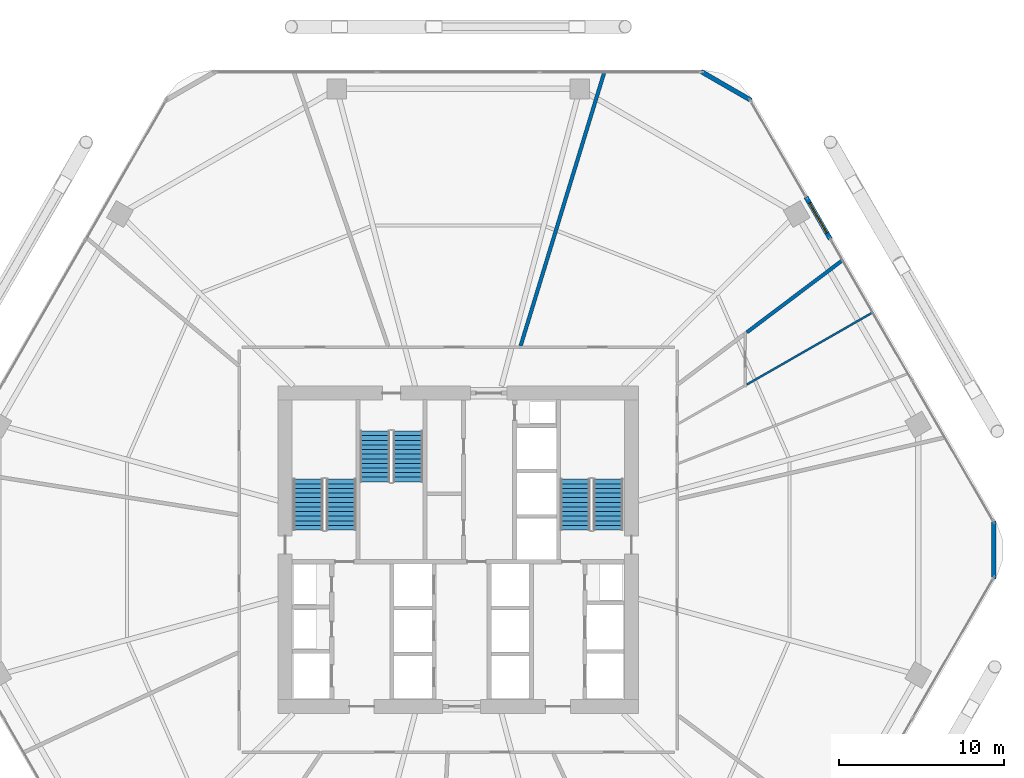
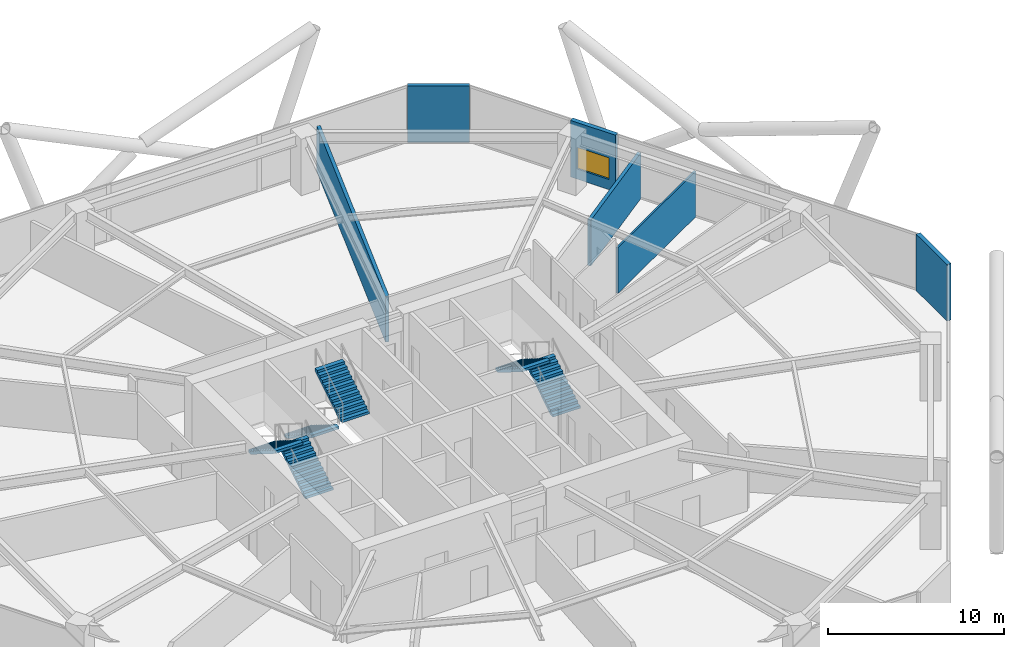
# One storey, part 27 of 28: 6 stair flights, 6 walls, 1 window, 1 opening, 3 elements without a shape of their own.
"""IFC4 building model written with IfcOpenShell, lengths in metres."""

from ifc_helpers import new_model, si_unit, direction, frame, frame_2d, origin, place, context, subcontext, project, spatial, polyline, rectangle, outline, extrude, material, layer, layer_set, type_object, element, fill, aggregate, save


model = new_model("IFC4")

# Units and contexts
model_context = context("Model", 3, precision=1e-05, world=origin(), true_north=direction((0.0, 1.0)))
body_context = subcontext(model_context, "Body", "Model", "MODEL_VIEW")
ifc_project = project(units=[si_unit("LENGTHUNIT", "METRE"), si_unit("AREAUNIT", "SQUARE_METRE"), si_unit("VOLUMEUNIT", "CUBIC_METRE"), si_unit("PLANEANGLEUNIT", "RADIAN"), si_unit("MASSUNIT", "GRAM", prefix="KILO")], contexts=[model_context])

# Site, building, storey
site_placement = place(None, origin())
site = spatial("IfcSite", under=ifc_project, at=site_placement, CompositionType="ELEMENT")
building_placement = place(site_placement, origin())
building = spatial("IfcBuilding", under=site, at=building_placement, Name="Zuhravey Tower", CompositionType="ELEMENT")
storey_placement = place(building_placement, frame((0.0, 0.0, 49.800048828125)))
storey = spatial("IfcBuildingStorey", under=building, at=storey_placement, Name="L12", CompositionType="ELEMENT", Elevation=49.800048828125)

# Wall
ifc_material_1 = material(Name="Precast concrete C40/50", Category="concrete")
ifc_layer_1 = layer(ifc_material_1, 0.280029296875)
ifc_layer_set_1 = layer_set([ifc_layer_1], Name="Precast concrete C40/50")
wall_type_1 = type_object("IfcWallType", Name="Crown Architectural Wall 280", PredefinedType="SOLIDWALL", material=ifc_layer_set_1)
wall_1_placement = place(storey_placement, frame((50.71728515625, 61.006103515625, 0.0), z_axis=(0.0, 0.0, 1.0), x_axis=(0.866007452331, -0.500031091541, 0.0)))
element("IfcWall", 1, at=wall_1_placement, inside=storey, type_object=wall_type_1, Name="L12 Rounded Corner Closure Wall EW28-10", PredefinedType="SOLIDWALL", context=body_context, shape_type="SweptSolid", body=[
    extrude(rectangle(XDim=3.514892578125, YDim=0.280029296875, at=frame_2d((1.75732421875, 0.0))), origin(), (0.0, 0.0, 1.0), 3.919921875),
])

# Wall, opening, window
wall_2_placement = place(storey_placement, frame((57.087890625, 53.3916015625, 0.0), z_axis=(0.0, 0.0, 1.0), x_axis=(0.500024377727, -0.866011328839, 0.0)))
wall_2 = element("IfcWall", 2, at=wall_2_placement, inside=storey, type_object=wall_type_1, Name="L12 Face 1 Facade Pier EW28-1", PredefinedType="SOLIDWALL", context=body_context, shape_type="SweptSolid", body=[
    extrude(rectangle(XDim=2.939697265625, YDim=0.280029296875, at=frame_2d((1.4697265625, 0.0))), origin(), (0.0, 0.0, 1.0), 3.919921875),
])
opening_placement = place(wall_2_placement, frame((0.419921875, 0.0, 0.699951171875)))
opening = element("IfcOpeningElement", 3, at=opening_placement, cuts=wall_2, Name="Opening WN3", PredefinedType="OPENING", context=body_context, shape_type="SweptSolid", body=[
    extrude(rectangle(XDim=2.10009765625, YDim=1.5, at=frame_2d((1.050048828125, 0.75))), frame((0.0, 0.152099609375, 0.0), z_axis=(0.0, -1.0, 0.0), x_axis=(1.0, 0.0, 0.0)), (0.0, 0.0, 1.0), 0.303955078125),
])
ifc_material_2 = material(Name="Thermally broken aluminium and triple low-E glass", Category="aluminium")
window_type = type_object("IfcWindowType", Name="School Pavilion Window 2100x1500", PartitioningType="SINGLE_PANEL", PredefinedType="WINDOW", material=ifc_material_2)
window_placement = place(opening_placement, origin())
window = element("IfcWindow", 4, at=window_placement, inside=storey, type_object=window_type, Name="L12 Face 1 Feature Window", OverallHeight=1.5, OverallWidth=2.10009765625, PartitioningType="SINGLE_PANEL", PredefinedType="WINDOW", context=body_context, shape_type="SweptSolid", body=[
    extrude(rectangle(XDim=2.10009765625, YDim=1.5, at=frame_2d((1.050048828125, 0.75))), frame((0.0, 0.030029296875, 0.0), z_axis=(0.0, -1.0, 0.0), x_axis=(1.0, 0.0, 0.0)), (0.0, 0.0, 1.0), 0.06005859375),
])
fill(opening, window)

# Walls
wall_3_placement = place(storey_placement, frame((68.478515625, 33.757568359375, 0.0), z_axis=(0.0, 0.0, 1.0), x_axis=(0.0, -1.0, 0.0)))
element("IfcWall", 5, at=wall_3_placement, inside=storey, type_object=wall_type_1, Name="L12 Rounded Corner Closure Wall EW28-12", PredefinedType="SOLIDWALL", context=body_context, shape_type="SweptSolid", body=[
    extrude(rectangle(XDim=3.51513671875, YDim=0.280029296875, at=frame_2d((1.757568359375, 0.0))), origin(), (0.0, 0.0, 1.0), 3.919921875),
])
ifc_material_3 = material(Name="Gypsum acoustic stud assembly")
ifc_layer_2 = layer(ifc_material_3, 0.219970703125)
ifc_layer_set_2 = layer_set([ifc_layer_2], Name="Gypsum acoustic stud assembly")
wall_type_2 = type_object("IfcWallType", Name="School Acoustic Compartment Wall 220", PredefinedType="PARTITIONING", material=ifc_layer_set_2)
wall_4_placement = place(storey_placement, frame((53.492919921875, 45.181884765625, 0.0), z_axis=(0.0, 0.0, 1.0), x_axis=(0.798624171574, 0.60183006952, 0.0)))
element("IfcWall", 6, at=wall_4_placement, inside=storey, type_object=wall_type_2, Name="L12 IW22 Partition 046", PredefinedType="PARTITIONING", context=body_context, shape_type="SweptSolid", body=[
    extrude(rectangle(XDim=7.272216796875, YDim=0.219970703125, at=frame_2d((3.63623046875, 0.0))), origin(), (0.0, 0.0, 1.0), 3.169921875),
])
wall_5_placement = place(storey_placement, frame((39.78271484375, 44.373046875, 0.0), z_axis=(0.0, 0.0, 1.0), x_axis=(0.29237803707, 0.956302819947, 0.0)))
element("IfcWall", 7, at=wall_5_placement, inside=storey, type_object=wall_type_2, Name="L12 IW22 Partition 047", PredefinedType="PARTITIONING", context=body_context, shape_type="SweptSolid", body=[
    extrude(rectangle(XDim=17.34326171875, YDim=0.219970703125, at=frame_2d((8.671630859375, 0.0))), origin(), (0.0, 0.0, 1.0), 3.169921875),
])
ifc_material_4 = material(Name="Gypsum metal-stud partition")
ifc_layer_3 = layer(ifc_material_4, 0.1201171875)
ifc_layer_set_3 = layer_set([ifc_layer_3], Name="Gypsum metal-stud partition")
wall_type_3 = type_object("IfcWallType", Name="Unit Internal Partition 120", PredefinedType="PARTITIONING", material=ifc_layer_set_3)
wall_6_placement = place(storey_placement, frame((53.492919921875, 42.018310546875, 0.0), z_axis=(0.0, 0.0, 1.0), x_axis=(0.867773256473, 0.496960335791, 0.0)))
element("IfcWall", 8, at=wall_6_placement, inside=storey, type_object=wall_type_3, Name="L12 IW12 Partition 044", PredefinedType="PARTITIONING", context=body_context, shape_type="SweptSolid", body=[
    extrude(rectangle(XDim=8.800048828125, YDim=0.1201171875, at=frame_2d((4.39990234375, 0.0))), origin(), (0.0, 0.0, 1.0), 3.169921875),
])

# Stair, stair flights
ifc_material_5 = material(Name="Concrete C40/50", Category="concrete")
stair_type = type_object("IfcStairType", Name="School Storey Stair Assembly 4200", PredefinedType="HALF_TURN_STAIR", material=ifc_material_5)
stair_1_placement = place(storey_placement, origin())
stair_1 = element("IfcStair", 9, at=stair_1_placement, inside=storey, type_object=stair_type, Name="L12 Core Exit Stair ST1", PredefinedType="HALF_TURN_STAIR")
stair_flight_type = type_object("IfcStairFlightType", Name="School Storey Stair Flight 4200", PredefinedType="STRAIGHT", material=ifc_material_5)
stair_flight_1_placement = place(storey_placement, frame((28.89990234375, 33.199951171875, 0.0), z_axis=(0.0, 0.0, 1.0), x_axis=(0.0, 1.0, 0.0)))
stair_flight_1 = element("IfcStairFlight", 10, at=stair_flight_1_placement, type_object=stair_flight_type, Name="ST1 flight 1", NumberOfRisers=12, NumberOfTreads=11, PredefinedType="STRAIGHT", RiserHeight=0.175, TreadLength=0.28, context=body_context, shape_type="SweptSolid", body=[
    extrude(outline(polyline([(0.0, 0.0), (0.0, 0.175048828125), (0.280029296875, 0.175048828125), (0.280029296875, 0.35009765625), (0.56005859375, 0.35009765625), (0.56005859375, 0.52490234375), (0.840087890625, 0.52490234375), (0.840087890625, 0.699951171875), (1.1201171875, 0.699951171875), (1.1201171875, 0.875), (1.39990234375, 0.875), (1.39990234375, 1.050048828125), (1.679931640625, 1.050048828125), (1.679931640625, 1.22509765625), (1.9599609375, 1.22509765625), (1.9599609375, 1.39990234375), (2.239990234375, 1.39990234375), (2.239990234375, 1.574951171875), (2.52001953125, 1.574951171875), (2.52001953125, 1.75), (2.800048828125, 1.75), (2.800048828125, 1.925048828125), (3.080078125, 1.925048828125), (3.080078125, 2.10009765625), (3.080078125, 1.748291015625), (0.28271484375, 0.0), (0.0, 0.0)])), frame((0.0, 0.89990234375, 0.0), z_axis=(0.0, -1.0, 0.0), x_axis=(1.0, 0.0, 0.0)), (0.0, 0.0, 1.0), 1.800048828125),
])
stair_flight_2_placement = place(storey_placement, frame((26.89990234375, 36.280029296875, 2.099853515625), z_axis=(0.0, 0.0, 1.0), x_axis=(0.0, -1.0, 0.0)))
stair_flight_2 = element("IfcStairFlight", 11, at=stair_flight_2_placement, type_object=stair_flight_type, Name="ST1 flight 2", NumberOfRisers=12, NumberOfTreads=11, PredefinedType="STRAIGHT", RiserHeight=0.175, TreadLength=0.28, context=body_context, shape_type="SweptSolid", body=[
    extrude(outline(polyline([(0.0, 0.0), (0.0, 0.175048828125), (0.280029296875, 0.175048828125), (0.280029296875, 0.35009765625), (0.56005859375, 0.35009765625), (0.56005859375, 0.52490234375), (0.840087890625, 0.52490234375), (0.840087890625, 0.699951171875), (1.1201171875, 0.699951171875), (1.1201171875, 0.875), (1.39990234375, 0.875), (1.39990234375, 1.050048828125), (1.679931640625, 1.050048828125), (1.679931640625, 1.22509765625), (1.9599609375, 1.22509765625), (1.9599609375, 1.39990234375), (2.239990234375, 1.39990234375), (2.239990234375, 1.574951171875), (2.52001953125, 1.574951171875), (2.52001953125, 1.75), (2.800048828125, 1.75), (2.800048828125, 1.925048828125), (3.080078125, 1.925048828125), (3.080078125, 2.10009765625), (3.080078125, 1.748291015625), (0.28271484375, 0.0), (0.0, 0.0)])), frame((0.0, 0.89990234375, 0.0), z_axis=(0.0, -1.0, 0.0), x_axis=(1.0, 0.0, 0.0)), (0.0, 0.0, 1.0), 1.800048828125),
])
aggregate(stair_1, [stair_flight_1, stair_flight_2])

stair_2_placement = place(storey_placement, origin())
stair_2 = element("IfcStair", 12, at=stair_2_placement, inside=storey, type_object=stair_type, Name="L12 Core Exit Stair ST2", PredefinedType="HALF_TURN_STAIR")
stair_flight_3_placement = place(storey_placement, frame((45.10009765625, 33.199951171875, 0.0), z_axis=(0.0, 0.0, 1.0), x_axis=(0.0, 1.0, 0.0)))
stair_flight_3 = element("IfcStairFlight", 13, at=stair_flight_3_placement, type_object=stair_flight_type, Name="ST2 flight 1", NumberOfRisers=12, NumberOfTreads=11, PredefinedType="STRAIGHT", RiserHeight=0.175, TreadLength=0.28, context=body_context, shape_type="SweptSolid", body=[
    extrude(outline(polyline([(0.0, 0.0), (0.0, 0.175048828125), (0.280029296875, 0.175048828125), (0.280029296875, 0.35009765625), (0.56005859375, 0.35009765625), (0.56005859375, 0.52490234375), (0.840087890625, 0.52490234375), (0.840087890625, 0.699951171875), (1.1201171875, 0.699951171875), (1.1201171875, 0.875), (1.39990234375, 0.875), (1.39990234375, 1.050048828125), (1.679931640625, 1.050048828125), (1.679931640625, 1.22509765625), (1.9599609375, 1.22509765625), (1.9599609375, 1.39990234375), (2.239990234375, 1.39990234375), (2.239990234375, 1.574951171875), (2.52001953125, 1.574951171875), (2.52001953125, 1.75), (2.800048828125, 1.75), (2.800048828125, 1.925048828125), (3.080078125, 1.925048828125), (3.080078125, 2.10009765625), (3.080078125, 1.748291015625), (0.28271484375, 0.0), (0.0, 0.0)])), frame((0.0, 0.89990234375, 0.0), z_axis=(0.0, -1.0, 0.0), x_axis=(1.0, 0.0, 0.0)), (0.0, 0.0, 1.0), 1.800048828125),
])
stair_flight_4_placement = place(storey_placement, frame((43.10009765625, 36.280029296875, 2.099853515625), z_axis=(0.0, 0.0, 1.0), x_axis=(0.0, -1.0, 0.0)))
stair_flight_4 = element("IfcStairFlight", 14, at=stair_flight_4_placement, type_object=stair_flight_type, Name="ST2 flight 2", NumberOfRisers=12, NumberOfTreads=11, PredefinedType="STRAIGHT", RiserHeight=0.175, TreadLength=0.28, context=body_context, shape_type="SweptSolid", body=[
    extrude(outline(polyline([(0.0, 0.0), (0.0, 0.175048828125), (0.280029296875, 0.175048828125), (0.280029296875, 0.35009765625), (0.56005859375, 0.35009765625), (0.56005859375, 0.52490234375), (0.840087890625, 0.52490234375), (0.840087890625, 0.699951171875), (1.1201171875, 0.699951171875), (1.1201171875, 0.875), (1.39990234375, 0.875), (1.39990234375, 1.050048828125), (1.679931640625, 1.050048828125), (1.679931640625, 1.22509765625), (1.9599609375, 1.22509765625), (1.9599609375, 1.39990234375), (2.239990234375, 1.39990234375), (2.239990234375, 1.574951171875), (2.52001953125, 1.574951171875), (2.52001953125, 1.75), (2.800048828125, 1.75), (2.800048828125, 1.925048828125), (3.080078125, 1.925048828125), (3.080078125, 2.10009765625), (3.080078125, 1.748291015625), (0.28271484375, 0.0), (0.0, 0.0)])), frame((0.0, 0.89990234375, 0.0), z_axis=(0.0, -1.0, 0.0), x_axis=(1.0, 0.0, 0.0)), (0.0, 0.0, 1.0), 1.800048828125),
])
aggregate(stair_2, [stair_flight_3, stair_flight_4])

stair_3_placement = place(storey_placement, origin())
stair_3 = element("IfcStair", 15, at=stair_3_placement, inside=storey, type_object=stair_type, Name="L12 Core Exit Stair ST3", PredefinedType="HALF_TURN_STAIR")
stair_flight_5_placement = place(storey_placement, frame((30.949951171875, 39.199951171875, 0.0), z_axis=(0.0, 0.0, 1.0), x_axis=(0.0, -1.0, 0.0)))
stair_flight_5 = element("IfcStairFlight", 16, at=stair_flight_5_placement, type_object=stair_flight_type, Name="ST3 flight 1", NumberOfRisers=12, NumberOfTreads=11, PredefinedType="STRAIGHT", RiserHeight=0.175, TreadLength=0.28, context=body_context, shape_type="SweptSolid", body=[
    extrude(outline(polyline([(0.0, 0.0), (0.0, 0.175048828125), (0.280029296875, 0.175048828125), (0.280029296875, 0.35009765625), (0.56005859375, 0.35009765625), (0.56005859375, 0.52490234375), (0.840087890625, 0.52490234375), (0.840087890625, 0.699951171875), (1.1201171875, 0.699951171875), (1.1201171875, 0.875), (1.39990234375, 0.875), (1.39990234375, 1.050048828125), (1.679931640625, 1.050048828125), (1.679931640625, 1.22509765625), (1.9599609375, 1.22509765625), (1.9599609375, 1.39990234375), (2.239990234375, 1.39990234375), (2.239990234375, 1.574951171875), (2.52001953125, 1.574951171875), (2.52001953125, 1.75), (2.800048828125, 1.75), (2.800048828125, 1.925048828125), (3.080078125, 1.925048828125), (3.080078125, 2.10009765625), (3.080078125, 1.748291015625), (0.28271484375, 0.0), (0.0, 0.0)])), frame((0.0, 0.89990234375, 0.0), z_axis=(0.0, -1.0, 0.0), x_axis=(1.0, 0.0, 0.0)), (0.0, 0.0, 1.0), 1.800048828125),
])
stair_flight_6_placement = place(storey_placement, frame((32.949951171875, 36.1201171875, 2.099853515625), z_axis=(0.0, 0.0, 1.0), x_axis=(0.0, 1.0, 0.0)))
stair_flight_6 = element("IfcStairFlight", 17, at=stair_flight_6_placement, type_object=stair_flight_type, Name="ST3 flight 2", NumberOfRisers=12, NumberOfTreads=11, PredefinedType="STRAIGHT", RiserHeight=0.175, TreadLength=0.28, context=body_context, shape_type="SweptSolid", body=[
    extrude(outline(polyline([(0.0, 0.0), (0.0, 0.175048828125), (0.280029296875, 0.175048828125), (0.280029296875, 0.35009765625), (0.56005859375, 0.35009765625), (0.56005859375, 0.52490234375), (0.840087890625, 0.52490234375), (0.840087890625, 0.699951171875), (1.1201171875, 0.699951171875), (1.1201171875, 0.875), (1.39990234375, 0.875), (1.39990234375, 1.050048828125), (1.679931640625, 1.050048828125), (1.679931640625, 1.22509765625), (1.9599609375, 1.22509765625), (1.9599609375, 1.39990234375), (2.239990234375, 1.39990234375), (2.239990234375, 1.574951171875), (2.52001953125, 1.574951171875), (2.52001953125, 1.75), (2.800048828125, 1.75), (2.800048828125, 1.925048828125), (3.080078125, 1.925048828125), (3.080078125, 2.10009765625), (3.080078125, 1.748291015625), (0.28271484375, 0.0), (0.0, 0.0)])), frame((0.0, 0.89990234375, 0.0), z_axis=(0.0, -1.0, 0.0), x_axis=(1.0, 0.0, 0.0)), (0.0, 0.0, 1.0), 1.800048828125),
])
aggregate(stair_3, [stair_flight_5, stair_flight_6])

save(model, "model.ifc")
